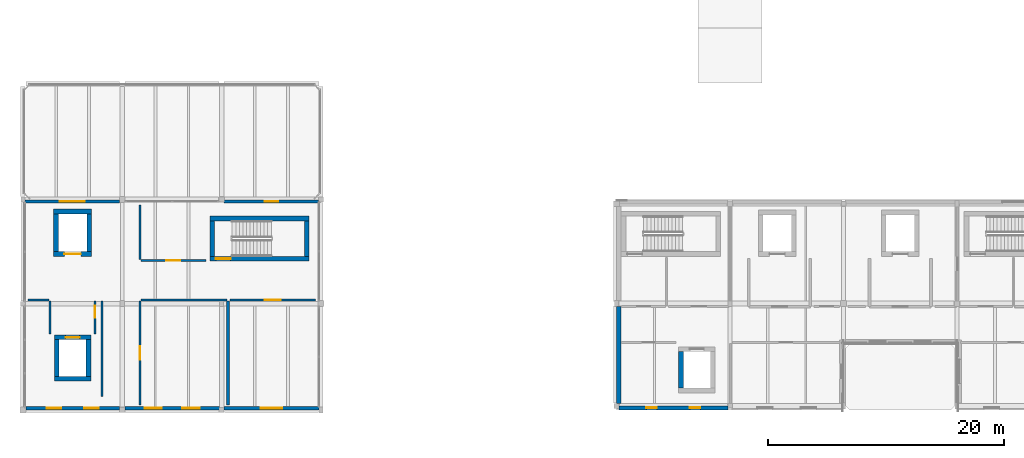
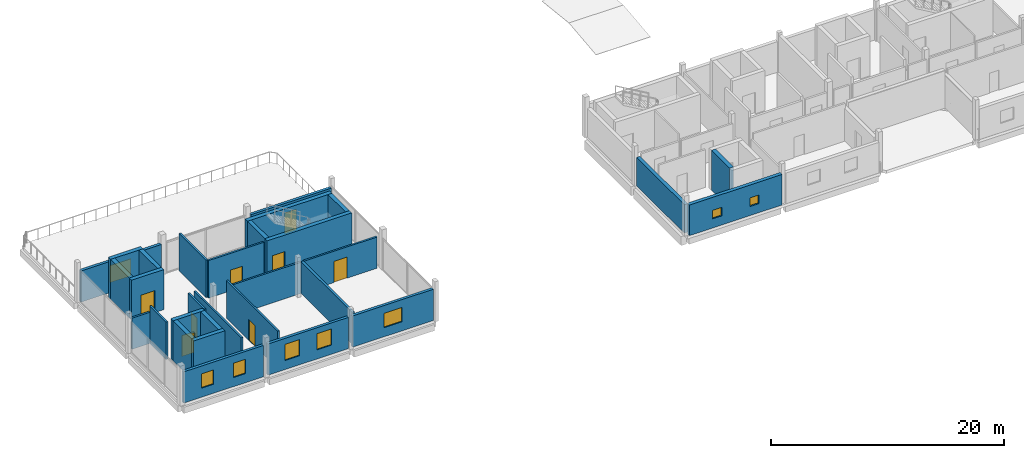
# One storey, part 13 of 23: 30 walls, 8 doors, 8 windows, 16 openings.
"""IFC4 building model written with IfcOpenShell, lengths in metres."""

import ifcopenshell
import ifcopenshell.guid

model = None  # the IFC model being written
_history = None  # IfcOwnerHistory: only IFC2X3 demands one
_inside = {}  # id of a spatial element -> (the spatial element, [elements in it])
_under = {}  # id of a project, library or spatial element -> (it, [spatial elements below it])
_declared = {}  # id of a project -> (the project, [libraries it declares])
_typed = {}  # id of a type object -> (the type object, [elements of that type])
_made_of = {}  # id of a material, layer set ... -> (it, [elements and type objects made of it])


def new_model(schema):
    """Start an empty IFC model of exactly this schema.

    Asked for "IFC4X3", IfcOpenShell would pick the latest addendum, in which some entities
    have other attributes; the version numbers below select the first issue.
    IFC2X3 requires an IfcOwnerHistory on every rooted entity: one is made here for all.
    """
    global model, _history
    if schema == "IFC4X3":
        model = ifcopenshell.file(schema_version=(4, 3, 0, 0))
    else:
        model = ifcopenshell.file(schema=schema)
    _inside.clear()
    _under.clear()
    _declared.clear()
    _typed.clear()
    _made_of.clear()
    _history = None
    if model.schema == "IFC2X3":
        org = make("IfcOrganization", Name="unknown")
        user = make(
            "IfcPersonAndOrganization",
            ThePerson=make("IfcPerson", FamilyName="unknown"),
            TheOrganization=org,
        )
        app = make(
            "IfcApplication",
            ApplicationDeveloper=org,
            Version="unknown",
            ApplicationFullName="unknown",
            ApplicationIdentifier="unknown",
        )
        _history = make(
            "IfcOwnerHistory",
            OwningUser=user,
            OwningApplication=app,
            ChangeAction="ADDED",
            CreationDate=0,
        )
    return model


def make(cls, **values):
    """One entity of the class cls with the attributes given. An attribute that is None is left unset."""
    return model.create_entity(
        cls, **{name: value for name, value in values.items() if value is not None}
    )


def rooted(cls, **values):
    """An entity with a GlobalId (a new one), such as an element, a storey or a relation."""
    return make(cls, GlobalId=ifcopenshell.guid.new(), OwnerHistory=_history, **values)


def si_unit(unit_type, name, prefix=None):
    """IfcSIUnit, for example si_unit("LENGTHUNIT", "METRE", prefix="MILLI")."""
    return make("IfcSIUnit", UnitType=unit_type, Prefix=prefix, Name=name)


def assignment(units):
    """IfcUnitAssignment: the units of a project."""
    return None if units is None else make("IfcUnitAssignment", Units=units)


def point(xyz):
    """IfcCartesianPoint."""
    return None if xyz is None else make("IfcCartesianPoint", Coordinates=xyz)


def direction(xyz):
    """IfcDirection."""
    return None if xyz is None else make("IfcDirection", DirectionRatios=xyz)


def frame(location, z_axis=None, x_axis=None):
    """IfcAxis2Placement3D, a coordinate frame: its origin and axes. An axis left out is left unset."""
    return make(
        "IfcAxis2Placement3D",
        Location=point(location),
        Axis=direction(z_axis),
        RefDirection=direction(x_axis),
    )


def frame_2d(location, x_axis=None):
    """IfcAxis2Placement2D, a coordinate frame in the plane: its origin and x axis."""
    return make(
        "IfcAxis2Placement2D", Location=point(location), RefDirection=direction(x_axis)
    )


def origin():
    """The frame at (0, 0, 0) with its axes left unset."""
    return frame((0.0, 0.0, 0.0))


def place(relative_to, where):
    """IfcLocalPlacement: puts the frame where relative to a parent placement (None: the world)."""
    return make(
        "IfcLocalPlacement", PlacementRelTo=relative_to, RelativePlacement=where
    )


def context(
    kind, dimensions, precision=None, world=None, true_north=None, identifier=None
):
    """IfcGeometricRepresentationContext, for example the 3D "Model" context."""
    return make(
        "IfcGeometricRepresentationContext",
        ContextIdentifier=identifier,
        ContextType=kind,
        CoordinateSpaceDimension=dimensions,
        Precision=precision,
        WorldCoordinateSystem=world,
        TrueNorth=true_north,
    )


def subcontext(parent, identifier, kind, view, scale=None):
    """IfcGeometricRepresentationSubContext, for example "Body" below "Model"."""
    return make(
        "IfcGeometricRepresentationSubContext",
        ContextIdentifier=identifier,
        ContextType=kind,
        ParentContext=parent,
        TargetScale=scale,
        TargetView=view,
    )


def project(units=None, contexts=None):
    """IfcProject with its units and contexts."""
    return rooted(
        "IfcProject",
        Name="project",
        RepresentationContexts=contexts,
        UnitsInContext=assignment(units),
    )


def spatial(cls, under=None, at=None, **own):
    """A site, building, storey or space (cls), placed at a placement, below another one or the project."""
    s = rooted(cls, ObjectPlacement=at, **own)
    if under is not None:
        _under.setdefault(under.id(), (under, []))[1].append(s)
    return s


def profile(cls, at=None, kind="AREA", **sizes):
    """A parametric profile (cls). Its sizes go by their IFC names, for example OverallWidth=200.0."""
    return make(cls, ProfileType=kind, Position=at, **sizes)


def rectangle(**sizes):
    """IfcRectangleProfileDef."""
    return profile("IfcRectangleProfileDef", **sizes)


def extrude(swept, where, along, depth):
    """IfcExtrudedAreaSolid: the profile swept, set in the frame where, extruded along a direction by depth."""
    return make(
        "IfcExtrudedAreaSolid",
        SweptArea=swept,
        Position=where,
        ExtrudedDirection=direction(along),
        Depth=depth,
    )


def shape(context_of_items, identifier, shape_type, items):
    """IfcShapeRepresentation: the items that make up one representation, for example the "Body"."""
    return make(
        "IfcShapeRepresentation",
        ContextOfItems=context_of_items,
        RepresentationIdentifier=identifier,
        RepresentationType=shape_type,
        Items=items,
    )


def material(Name=None, Category=None):
    """IfcMaterial."""
    return make("IfcMaterial", Name=Name, Category=Category)


def layer(
    of_material, thickness, ventilated=None, Name=None, Category=None, Priority=None
):
    """IfcMaterialLayer: one layer of a wall or slab, of a material (None: an air gap)."""
    return make(
        "IfcMaterialLayer",
        Material=of_material,
        LayerThickness=thickness,
        IsVentilated=ventilated,
        Name=Name,
        Category=Category,
        Priority=Priority,
    )


def layer_set(layers, Name=None):
    """IfcMaterialLayerSet."""
    return make("IfcMaterialLayerSet", MaterialLayers=layers, LayerSetName=Name)


def made_of(thing, what):
    """Note that an element or type object is made of a material, layer set ...; save() writes the relation."""
    if what is not None:
        _made_of.setdefault(what.id(), (what, []))[1].append(thing)
    return thing


def type_object(cls, material=None, **own):
    """A type object (cls), such as IfcWallType, which elements share."""
    return made_of(rooted(cls, **own), material)


def element(
    cls,
    number,
    at=None,
    inside=None,
    cuts=None,
    type_object=None,
    material=None,
    context=None,
    identifier="Body",
    shape_type=None,
    held_by="IfcProductDefinitionShape",
    body=None,
    shapes=None,
    **own,
):
    """One element of the class cls, such as IfcWall. Its Tag is "e" and its number.

    at: its placement. inside: the storey or other place that contains it. cuts: it is an
    opening in that element (IfcRelVoidsElement). A single representation is given by context,
    identifier, shape_type and body (its items); several are given by shapes. held_by: the class
    of the entity that holds the representations. save() writes the other relations.
    """
    e = rooted(cls, Tag="e%d" % number, ObjectPlacement=at, **own)
    if body is not None:
        shapes = [shape(context, identifier, shape_type, body)]
    if shapes is not None:
        e.Representation = make(held_by, Representations=shapes)
    if inside is not None:
        _inside.setdefault(inside.id(), (inside, []))[1].append(e)
    if cuts is not None:
        rooted(
            "IfcRelVoidsElement", RelatingBuildingElement=cuts, RelatedOpeningElement=e
        )
    if type_object is not None:
        _typed.setdefault(type_object.id(), (type_object, []))[1].append(e)
    return made_of(e, material)


def fill(opening, filler):
    """IfcRelFillsElement: the door or window that sits in an opening."""
    return rooted(
        "IfcRelFillsElement",
        RelatingOpeningElement=opening,
        RelatedBuildingElement=filler,
    )


def aggregate(whole, parts):
    """IfcRelAggregates: a whole, such as a stair, and the parts it consists of."""
    return rooted("IfcRelAggregates", RelatingObject=whole, RelatedObjects=parts)


def save(model, path):
    """Write the relations noted so far, then the file.

    IfcRelAggregates (storeys below a building ...), IfcRelContainedInSpatialStructure (elements
    in a storey), IfcRelDefinesByType, IfcRelAssociatesMaterial and IfcRelDeclares: one each for
    every whole, place, type object, material and project.
    """
    for whole, parts in _under.values():
        aggregate(whole, parts)
    for where, things in _inside.values():
        rooted(
            "IfcRelContainedInSpatialStructure",
            RelatedElements=things,
            RelatingStructure=where,
        )
    for kind, things in _typed.values():
        rooted("IfcRelDefinesByType", RelatedObjects=things, RelatingType=kind)
    for what, things in _made_of.values():
        rooted("IfcRelAssociatesMaterial", RelatedObjects=things, RelatingMaterial=what)
    for by, libraries in _declared.values():
        rooted("IfcRelDeclares", RelatingContext=by, RelatedDefinitions=libraries)
    model.write(path)


model = new_model("IFC4")

# Units and contexts
model_context = context("Model", 3, precision=1e-05, world=origin(), true_north=direction((0.0, 1.0)))
body_context = subcontext(model_context, "Body", "Model", "MODEL_VIEW")
ifc_project = project(units=[si_unit("LENGTHUNIT", "METRE"), si_unit("AREAUNIT", "SQUARE_METRE"), si_unit("VOLUMEUNIT", "CUBIC_METRE"), si_unit("PLANEANGLEUNIT", "RADIAN"), si_unit("MASSUNIT", "GRAM", prefix="KILO")], contexts=[model_context])

# Site, building, storey
site_placement = place(None, origin())
site = spatial("IfcSite", under=ifc_project, at=site_placement, CompositionType="ELEMENT")
building_placement = place(site_placement, origin())
building = spatial("IfcBuilding", under=site, at=building_placement, Name="Birchvale Park Specialist Clinic", CompositionType="ELEMENT")
storey_placement = place(building_placement, frame((0.0, 0.0, 18.0)))
storey = spatial("IfcBuildingStorey", under=building, at=storey_placement, Name="L04", CompositionType="ELEMENT", Elevation=18.0)

# Wall, opening, door
ifc_material_1 = material(Name="Concrete C40/50", Category="concrete")
ifc_layer_1 = layer(ifc_material_1, 0.39990234375)
ifc_layer_set_1 = layer_set([ifc_layer_1], Name="Concrete C40/50")
wall_type_1 = type_object("IfcWallType", Name="WL-CW-120", PredefinedType="SHEAR", material=ifc_layer_set_1)
wall_1_placement = place(storey_placement, frame((27.0, 29.60009765625, 0.0), z_axis=(0.0, 0.0, 1.0), x_axis=(1.0, 0.0, 0.0)))
wall_1 = element("IfcWall", 1, at=wall_1_placement, inside=storey, type_object=wall_type_1, Name="L04 stair ST2 EI 120 enclosure wall (south)", PredefinedType="SHEAR", context=body_context, shape_type="SweptSolid", body=[
    extrude(rectangle(XDim=8.39990234375, YDim=0.39990234375, at=frame_2d((4.199951171875, 0.0))), origin(), (0.0, 0.0, 1.0), 3.93994140625),
])
opening_1_placement = place(wall_1_placement, frame((0.52001953125, 0.0, 0.0)))
opening_1 = element("IfcOpeningElement", 2, at=opening_1_placement, cuts=wall_1, Name="Opening ID-FD60", PredefinedType="OPENING", context=body_context, shape_type="SweptSolid", body=[
    extrude(rectangle(XDim=1.25, YDim=2.199951171875, at=frame_2d((0.625, 1.10009765625))), frame((0.0, 0.2099609375, 0.0), z_axis=(0.0, -1.0, 0.0), x_axis=(1.0, 0.0, 0.0)), (0.0, 0.0, 1.0), 0.419921875),
])
ifc_material_2 = material(Name="Solid-core birch veneer and anodised aluminium", Category="aluminium")
door_type_1 = type_object("IfcDoorType", Name="DR-ID-FD60", OperationType="NOTDEFINED", PredefinedType="DOOR", material=ifc_material_2)
door_1_placement = place(opening_1_placement, origin())
door_1 = element("IfcDoor", 3, at=door_1_placement, inside=storey, type_object=door_type_1, Name="L04 stair ST2 fire door", OperationType="SINGLE_SWING_RIGHT", OverallHeight=2.199951171875, OverallWidth=1.25, PredefinedType="DOOR", context=body_context, shape_type="SweptSolid", body=[
    extrude(rectangle(XDim=1.25, YDim=2.199951171875, at=frame_2d((0.625, 1.10009765625))), frame((0.0, 0.02490234375, 0.0), z_axis=(0.0, -1.0, 0.0), x_axis=(1.0, 0.0, 0.0)), (0.0, 0.0, 1.0), 0.050048828125),
])
fill(opening_1, door_1)

# Walls
wall_2_placement = place(storey_placement, frame((35.39990234375, 33.0, 0.0), z_axis=(0.0, 0.0, 1.0), x_axis=(-1.0, 0.0, 0.0)))
element("IfcWall", 4, at=wall_2_placement, inside=storey, type_object=wall_type_1, Name="L04 stair ST2 EI 120 enclosure wall (north)", PredefinedType="SHEAR", context=body_context, shape_type="SweptSolid", body=[
    extrude(rectangle(XDim=8.39990234375, YDim=0.39990234375, at=frame_2d((4.199951171875, 0.0))), origin(), (0.0, 0.0, 1.0), 3.93994140625),
])
for number, where, z_axis, x_axis, name in (
    (5, (27.199951171875, 29.800048828125, 0.0), (0.0, 0.0, 1.0), (0.0, 1.0, 0.0), "L04 stair ST2 EI 120 enclosure wall (west)"),
    (6, (35.199951171875, 32.800048828125, 0.0), (0.0, 0.0, 1.0), (0.0, -1.0, 0.0), "L04 stair ST2 EI 120 enclosure wall (east)"),
):
    element("IfcWall", number, at=place(storey_placement, frame(where, z_axis=z_axis, x_axis=x_axis)), inside=storey, type_object=wall_type_1, Name=name, PredefinedType="SHEAR", context=body_context, shape_type="SweptSolid", body=[
        extrude(rectangle(XDim=3.0, YDim=0.39990234375, at=frame_2d((1.5, 0.0))), origin(), (0.0, 0.0, 1.0), 3.93994140625),
    ])
wall_3_placement = place(storey_placement, frame((66.85009765625, 18.64990234375, 0.0), z_axis=(0.0, 0.0, 1.0), x_axis=(0.0, 1.0, 0.0)))
element("IfcWall", 7, at=wall_3_placement, inside=storey, type_object=wall_type_1, Name="L04 lift LP1 shaft wall (west)", PredefinedType="SHEAR", context=body_context, shape_type="SweptSolid", body=[
    extrude(rectangle(XDim=3.10009765625, YDim=0.39990234375, at=frame_2d((1.550048828125, 0.0))), origin(), (0.0, 0.0, 1.0), 4.199951171875),
])
wall_4_placement = place(storey_placement, frame((13.85009765625, 19.449951171875, 0.0), z_axis=(0.0, 0.0, 1.0), x_axis=(1.0, 0.0, 0.0)))
element("IfcWall", 8, at=wall_4_placement, inside=storey, type_object=wall_type_1, Name="L04 lift LP3 shaft wall (south)", PredefinedType="SHEAR", context=body_context, shape_type="SweptSolid", body=[
    extrude(rectangle(XDim=3.099853515625, YDim=0.39990234375, at=frame_2d((1.5498046875, 0.0))), origin(), (0.0, 0.0, 1.0), 4.199951171875),
])

# Wall, opening, door
wall_5_placement = place(storey_placement, frame((16.949951171875, 22.949951171875, 0.0), z_axis=(0.0, 0.0, 1.0), x_axis=(-1.0, 0.0, 0.0)))
wall_5 = element("IfcWall", 9, at=wall_5_placement, inside=storey, type_object=wall_type_1, Name="L04 lift LP3 shaft wall (north)", PredefinedType="SHEAR", context=body_context, shape_type="SweptSolid", body=[
    extrude(rectangle(XDim=3.099853515625, YDim=0.39990234375, at=frame_2d((1.5498046875, 0.0))), origin(), (0.0, 0.0, 1.0), 4.199951171875),
])
opening_2_placement = place(wall_5_placement, frame((0.949951171875, 0.0, 0.0)))
opening_2 = element("IfcOpeningElement", 10, at=opening_2_placement, cuts=wall_5, Name="Opening LD-01", PredefinedType="OPENING", context=body_context, shape_type="SweptSolid", body=[
    extrude(rectangle(XDim=1.199951171875, YDim=2.199951171875, at=frame_2d((0.60009765625, 1.10009765625))), frame((0.0, 0.2099609375, 0.0), z_axis=(0.0, -1.0, 0.0), x_axis=(1.0, 0.0, 0.0)), (0.0, 0.0, 1.0), 0.419921875),
])
door_type_2 = type_object("IfcDoorType", Name="DR-LD-01", OperationType="DOUBLE_DOOR_SLIDING", PredefinedType="DOOR", material=ifc_material_2)
door_2_placement = place(opening_2_placement, origin())
door_2 = element("IfcDoor", 11, at=door_2_placement, inside=storey, type_object=door_type_2, Name="L04 lift LP3 sliding landing door", OperationType="DOUBLE_DOOR_SLIDING", OverallHeight=2.199951171875, OverallWidth=1.199951171875, PredefinedType="DOOR", context=body_context, shape_type="SweptSolid", body=[
    extrude(rectangle(XDim=1.199951171875, YDim=2.199951171875, at=frame_2d((0.60009765625, 1.10009765625))), frame((0.0, 0.02490234375, 0.0), z_axis=(0.0, -1.0, 0.0), x_axis=(1.0, 0.0, 0.0)), (0.0, 0.0, 1.0), 0.050048828125),
])
fill(opening_2, door_2)

# Walls
for number, where, z_axis, x_axis, name in (
    (12, (14.050048828125, 19.64990234375, 0.0), (0.0, 0.0, 1.0), (0.0, 1.0, 0.0), "L04 lift LP3 shaft wall (west)"),
    (13, (16.75, 22.75, 0.0), (0.0, 0.0, 1.0), (0.0, -1.0, 0.0), "L04 lift LP3 shaft wall (east)"),
):
    element("IfcWall", number, at=place(storey_placement, frame(where, z_axis=z_axis, x_axis=x_axis)), inside=storey, type_object=wall_type_1, Name=name, PredefinedType="SHEAR", context=body_context, shape_type="SweptSolid", body=[
        extrude(rectangle(XDim=3.10009765625, YDim=0.39990234375, at=frame_2d((1.550048828125, 0.0))), origin(), (0.0, 0.0, 1.0), 4.199951171875),
    ])

# Wall, opening, door
wall_6_placement = place(storey_placement, frame((13.800048828125, 30.0, 0.0), z_axis=(0.0, 0.0, 1.0), x_axis=(1.0, 0.0, 0.0)))
wall_6 = element("IfcWall", 14, at=wall_6_placement, inside=storey, type_object=wall_type_1, Name="L04 lift LS1 shaft wall (south)", PredefinedType="SHEAR", context=body_context, shape_type="SweptSolid", body=[
    extrude(rectangle(XDim=3.199951171875, YDim=0.39990234375, at=frame_2d((1.60009765625, 0.0))), origin(), (0.0, 0.0, 1.0), 4.199951171875),
])
opening_3_placement = place(wall_6_placement, frame((0.89990234375, 0.0, 0.0)))
opening_3 = element("IfcOpeningElement", 15, at=opening_3_placement, cuts=wall_6, Name="Opening LD-03", PredefinedType="OPENING", context=body_context, shape_type="SweptSolid", body=[
    extrude(rectangle(XDim=1.39990234375, YDim=2.300048828125, at=frame_2d((0.699951171875, 1.14990234375))), frame((0.0, 0.2099609375, 0.0), z_axis=(0.0, -1.0, 0.0), x_axis=(1.0, 0.0, 0.0)), (0.0, 0.0, 1.0), 0.419921875),
])
door_type_3 = type_object("IfcDoorType", Name="DR-LD-03", OperationType="DOUBLE_DOOR_SLIDING", PredefinedType="DOOR", material=ifc_material_2)
door_3_placement = place(opening_3_placement, origin())
door_3 = element("IfcDoor", 16, at=door_3_placement, inside=storey, type_object=door_type_3, Name="L04 lift LS1 sliding landing door", OperationType="DOUBLE_DOOR_SLIDING", OverallHeight=2.300048828125, OverallWidth=1.39990234375, PredefinedType="DOOR", context=body_context, shape_type="SweptSolid", body=[
    extrude(rectangle(XDim=1.39990234375, YDim=2.300048828125, at=frame_2d((0.699951171875, 1.14990234375))), frame((0.0, 0.02490234375, 0.0), z_axis=(0.0, -1.0, 0.0), x_axis=(1.0, 0.0, 0.0)), (0.0, 0.0, 1.0), 0.050048828125),
])
fill(opening_3, door_3)

# Walls
for number, where, z_axis, x_axis, name in (
    (17, (17.0, 33.60009765625, 0.0), (0.0, 0.0, 1.0), (-1.0, 0.0, 0.0), "L04 lift LS1 shaft wall (north)"),
    (18, (14.0, 30.199951171875, 0.0), (0.0, 0.0, 1.0), (0.0, 1.0, 0.0), "L04 lift LS1 shaft wall (west)"),
    (19, (16.800048828125, 33.39990234375, 0.0), (0.0, 0.0, 1.0), (0.0, -1.0, 0.0), "L04 lift LS1 shaft wall (east)"),
):
    element("IfcWall", number, at=place(storey_placement, frame(where, z_axis=z_axis, x_axis=x_axis)), inside=storey, type_object=wall_type_1, Name=name, PredefinedType="SHEAR", context=body_context, shape_type="SweptSolid", body=[
        extrude(rectangle(XDim=3.199951171875, YDim=0.39990234375, at=frame_2d((1.60009765625, 0.0))), origin(), (0.0, 0.0, 1.0), 4.199951171875),
    ])

# Wall, openings, windows
ifc_material_3 = material(Name="Lime-white mineral-rendered insulated masonry", Category="masonry")
ifc_layer_2 = layer(ifc_material_3, 0.340087890625)
ifc_layer_set_2 = layer_set([ifc_layer_2], Name="Lime-white mineral-rendered insulated masonry")
wall_type_2 = type_object("IfcWallType", Name="WL-EW-01", PredefinedType="STANDARD", material=ifc_layer_set_2)
wall_7_placement = place(storey_placement, frame((61.610107421875, 16.989990234375, 0.0), z_axis=(0.0, 0.0, 1.0), x_axis=(1.0, 0.0, 0.0)))
wall_7 = element("IfcWall", 20, at=wall_7_placement, inside=storey, type_object=wall_type_2, Name="V4 L04 exterior facade wall 274", PredefinedType="STANDARD", context=body_context, shape_type="SweptSolid", body=[
    extrude(rectangle(XDim=9.204833984375, YDim=0.340087890625, at=frame_2d((4.6025390625, 0.0))), origin(), (0.0, 0.0, 1.0), 3.205078125),
])
opening_4_placement = place(wall_7_placement, frame((2.3115234375, 0.0, 0.949951171875)))
opening_4 = element("IfcOpeningElement", 21, at=opening_4_placement, cuts=wall_7, Name="Opening W-SQ09", PredefinedType="OPENING", context=body_context, shape_type="SweptSolid", body=[
    extrude(rectangle(XDim=0.89990234375, YDim=0.89990234375, at=frame_2d((0.449951171875, 0.449951171875))), frame((0.0, 0.18017578125, 0.0), z_axis=(0.0, -1.0, 0.0), x_axis=(1.0, 0.0, 0.0)), (0.0, 0.0, 1.0), 0.360107421875),
])
opening_5_placement = place(wall_7_placement, frame((5.993408203125, 0.0, 0.949951171875)))
opening_5 = element("IfcOpeningElement", 22, at=opening_5_placement, cuts=wall_7, Name="Opening W-SQ09", PredefinedType="OPENING", context=body_context, shape_type="SweptSolid", body=[
    extrude(rectangle(XDim=0.89990234375, YDim=0.89990234375, at=frame_2d((0.449951171875, 0.449951171875))), frame((0.0, 0.18017578125, 0.0), z_axis=(0.0, -1.0, 0.0), x_axis=(1.0, 0.0, 0.0)), (0.0, 0.0, 1.0), 0.360107421875),
])
ifc_material_4 = material(Name="Solar-control low-E double glazing", Category="glass")
window_type_1 = type_object("IfcWindowType", Name="WIN-W-SQ09", PartitioningType="SINGLE_PANEL", PredefinedType="WINDOW", material=ifc_material_4)
window_1_placement = place(opening_4_placement, origin())
window_1 = element("IfcWindow", 23, at=window_1_placement, inside=storey, type_object=window_type_1, Name="V4 L04 cased window 130", OverallHeight=0.89990234375, OverallWidth=0.89990234375, PartitioningType="SINGLE_PANEL", PredefinedType="WINDOW", context=body_context, shape_type="SweptSolid", body=[
    extrude(rectangle(XDim=0.89990234375, YDim=0.89990234375, at=frame_2d((0.449951171875, 0.449951171875))), frame((0.0, 0.030029296875, 0.0), z_axis=(0.0, -1.0, 0.0), x_axis=(1.0, 0.0, 0.0)), (0.0, 0.0, 1.0), 0.06005859375),
])
fill(opening_4, window_1)
window_2_placement = place(opening_5_placement, origin())
window_2 = element("IfcWindow", 24, at=window_2_placement, inside=storey, type_object=window_type_1, Name="V4 L04 cased window 131", OverallHeight=0.89990234375, OverallWidth=0.89990234375, PartitioningType="SINGLE_PANEL", PredefinedType="WINDOW", context=body_context, shape_type="SweptSolid", body=[
    extrude(rectangle(XDim=0.89990234375, YDim=0.89990234375, at=frame_2d((0.449951171875, 0.449951171875))), frame((0.0, 0.030029296875, 0.0), z_axis=(0.0, -1.0, 0.0), x_axis=(1.0, 0.0, 0.0)), (0.0, 0.0, 1.0), 0.06005859375),
])
fill(opening_5, window_2)

# Wall
wall_8_placement = place(storey_placement, frame((61.590087890625, 25.554931640625, 0.0), z_axis=(0.0, 0.0, 1.0), x_axis=(0.0, -1.0, 0.0)))
element("IfcWall", 25, at=wall_8_placement, inside=storey, type_object=wall_type_2, Name="V4 L04 exterior facade wall 289", PredefinedType="STANDARD", context=body_context, shape_type="SweptSolid", body=[
    extrude(rectangle(XDim=8.19482421875, YDim=0.340087890625, at=frame_2d((4.097412109375, 0.0))), origin(), (0.0, 0.0, 1.0), 2.985107421875),
])

# Wall, openings, windows
ifc_layer_3 = layer(ifc_material_3, 0.27001953125)
ifc_layer_set_3 = layer_set([ifc_layer_3], Name="Lime-white mineral-rendered insulated masonry")
wall_type_3 = type_object("IfcWallType", Name="WL-EW-04", PredefinedType="STANDARD", material=ifc_layer_set_3)
wall_9_placement = place(storey_placement, frame((11.445068359375, 16.955078125, 0.0), z_axis=(0.0, 0.0, 1.0), x_axis=(1.0, 0.0, 0.0)))
wall_9 = element("IfcWall", 26, at=wall_9_placement, inside=storey, type_object=wall_type_3, Name="V2 L04 exterior facade wall 269", PredefinedType="STANDARD", context=body_context, shape_type="SweptSolid", body=[
    extrude(rectangle(XDim=7.934814453125, YDim=0.27001953125, at=frame_2d((3.96728515625, 0.0))), origin(), (0.0, 0.0, 1.0), 3.27490234375),
])
opening_6_placement = place(wall_9_placement, frame((1.780517578125, 0.0, 0.949951171875)))
opening_6 = element("IfcOpeningElement", 27, at=opening_6_placement, cuts=wall_9, Name="Opening W-CL01", PredefinedType="OPENING", context=body_context, shape_type="SweptSolid", body=[
    extrude(rectangle(XDim=1.199951171875, YDim=1.5, at=frame_2d((0.60009765625, 0.75))), frame((0.0, 0.14501953125, 0.0), z_axis=(0.0, -1.0, 0.0), x_axis=(1.0, 0.0, 0.0)), (0.0, 0.0, 1.0), 0.2900390625),
])
opening_7_placement = place(wall_9_placement, frame((4.95458984375, 0.0, 0.949951171875)))
opening_7 = element("IfcOpeningElement", 28, at=opening_7_placement, cuts=wall_9, Name="Opening W-CL01", PredefinedType="OPENING", context=body_context, shape_type="SweptSolid", body=[
    extrude(rectangle(XDim=1.199951171875, YDim=1.5, at=frame_2d((0.60009765625, 0.75))), frame((0.0, 0.14501953125, 0.0), z_axis=(0.0, -1.0, 0.0), x_axis=(1.0, 0.0, 0.0)), (0.0, 0.0, 1.0), 0.2900390625),
])
window_type_2 = type_object("IfcWindowType", Name="WIN-W-CL01", PartitioningType="SINGLE_PANEL", PredefinedType="WINDOW", material=ifc_material_4)
window_3_placement = place(opening_6_placement, origin())
window_3 = element("IfcWindow", 29, at=window_3_placement, inside=storey, type_object=window_type_2, Name="V2 L04 cased window 124", OverallHeight=1.5, OverallWidth=1.199951171875, PartitioningType="SINGLE_PANEL", PredefinedType="WINDOW", context=body_context, shape_type="SweptSolid", body=[
    extrude(rectangle(XDim=1.199951171875, YDim=1.5, at=frame_2d((0.60009765625, 0.75))), frame((0.0, 0.030029296875, 0.0), z_axis=(0.0, -1.0, 0.0), x_axis=(1.0, 0.0, 0.0)), (0.0, 0.0, 1.0), 0.06005859375),
])
fill(opening_6, window_3)
window_4_placement = place(opening_7_placement, origin())
window_4 = element("IfcWindow", 30, at=window_4_placement, inside=storey, type_object=window_type_2, Name="V2 L04 cased window 125", OverallHeight=1.5, OverallWidth=1.199951171875, PartitioningType="SINGLE_PANEL", PredefinedType="WINDOW", context=body_context, shape_type="SweptSolid", body=[
    extrude(rectangle(XDim=1.199951171875, YDim=1.5, at=frame_2d((0.60009765625, 0.75))), frame((0.0, 0.030029296875, 0.0), z_axis=(0.0, -1.0, 0.0), x_axis=(1.0, 0.0, 0.0)), (0.0, 0.0, 1.0), 0.06005859375),
])
fill(opening_7, window_4)

wall_10_placement = place(storey_placement, frame((19.820068359375, 16.955078125, 0.0), z_axis=(0.0, 0.0, 1.0), x_axis=(1.0, 0.0, 0.0)))
wall_10 = element("IfcWall", 31, at=wall_10_placement, inside=storey, type_object=wall_type_3, Name="V2 L04 exterior facade wall 270", PredefinedType="STANDARD", context=body_context, shape_type="SweptSolid", body=[
    extrude(rectangle(XDim=7.98486328125, YDim=0.27001953125, at=frame_2d((3.992431640625, 0.0))), origin(), (0.0, 0.0, 1.0), 3.27490234375),
])
opening_8_placement = place(wall_10_placement, frame((1.67041015625, 0.0, 0.949951171875)))
opening_8 = element("IfcOpeningElement", 32, at=opening_8_placement, cuts=wall_10, Name="Opening W-CL12", PredefinedType="OPENING", context=body_context, shape_type="SweptSolid", body=[
    extrude(rectangle(XDim=1.449951171875, YDim=1.699951171875, at=frame_2d((0.72509765625, 0.85009765625))), frame((0.0, 0.14501953125, 0.0), z_axis=(0.0, -1.0, 0.0), x_axis=(1.0, 0.0, 0.0)), (0.0, 0.0, 1.0), 0.2900390625),
])
opening_9_placement = place(wall_10_placement, frame((4.864501953125, 0.0, 0.949951171875)))
opening_9 = element("IfcOpeningElement", 33, at=opening_9_placement, cuts=wall_10, Name="Opening W-CL12", PredefinedType="OPENING", context=body_context, shape_type="SweptSolid", body=[
    extrude(rectangle(XDim=1.449951171875, YDim=1.699951171875, at=frame_2d((0.72509765625, 0.85009765625))), frame((0.0, 0.14501953125, 0.0), z_axis=(0.0, -1.0, 0.0), x_axis=(1.0, 0.0, 0.0)), (0.0, 0.0, 1.0), 0.2900390625),
])
window_type_3 = type_object("IfcWindowType", Name="WIN-W-CL12", PartitioningType="SINGLE_PANEL", PredefinedType="WINDOW", material=ifc_material_4)
window_5_placement = place(opening_8_placement, origin())
window_5 = element("IfcWindow", 34, at=window_5_placement, inside=storey, type_object=window_type_3, Name="V2 L04 cased window 126", OverallHeight=1.699951171875, OverallWidth=1.449951171875, PartitioningType="SINGLE_PANEL", PredefinedType="WINDOW", context=body_context, shape_type="SweptSolid", body=[
    extrude(rectangle(XDim=1.449951171875, YDim=1.699951171875, at=frame_2d((0.72509765625, 0.85009765625))), frame((0.0, 0.030029296875, 0.0), z_axis=(0.0, -1.0, 0.0), x_axis=(1.0, 0.0, 0.0)), (0.0, 0.0, 1.0), 0.06005859375),
])
fill(opening_8, window_5)
window_6_placement = place(opening_9_placement, origin())
window_6 = element("IfcWindow", 35, at=window_6_placement, inside=storey, type_object=window_type_3, Name="V2 L04 cased window 127", OverallHeight=1.699951171875, OverallWidth=1.449951171875, PartitioningType="SINGLE_PANEL", PredefinedType="WINDOW", context=body_context, shape_type="SweptSolid", body=[
    extrude(rectangle(XDim=1.449951171875, YDim=1.699951171875, at=frame_2d((0.72509765625, 0.85009765625))), frame((0.0, 0.030029296875, 0.0), z_axis=(0.0, -1.0, 0.0), x_axis=(1.0, 0.0, 0.0)), (0.0, 0.0, 1.0), 0.06005859375),
])
fill(opening_9, window_6)

# Wall, opening, window
wall_11_placement = place(storey_placement, frame((28.195068359375, 16.955078125, 0.0), z_axis=(0.0, 0.0, 1.0), x_axis=(1.0, 0.0, 0.0)))
wall_11 = element("IfcWall", 36, at=wall_11_placement, inside=storey, type_object=wall_type_3, Name="V2 L04 exterior facade wall 271", PredefinedType="STANDARD", context=body_context, shape_type="SweptSolid", body=[
    extrude(rectangle(XDim=8.034912109375, YDim=0.27001953125, at=frame_2d((4.017578125, 0.0))), origin(), (0.0, 0.0, 1.0), 3.27490234375),
])
opening_10_placement = place(wall_11_placement, frame((3.117431640625, 0.0, 0.949951171875)))
opening_10 = element("IfcOpeningElement", 37, at=opening_10_placement, cuts=wall_11, Name="Opening W-CL05", PredefinedType="OPENING", context=body_context, shape_type="SweptSolid", body=[
    extrude(rectangle(XDim=1.800048828125, YDim=1.5, at=frame_2d((0.89990234375, 0.75))), frame((0.0, 0.14501953125, 0.0), z_axis=(0.0, -1.0, 0.0), x_axis=(1.0, 0.0, 0.0)), (0.0, 0.0, 1.0), 0.2900390625),
])
window_type_4 = type_object("IfcWindowType", Name="WIN-W-CL05", PartitioningType="SINGLE_PANEL", PredefinedType="WINDOW", material=ifc_material_4)
window_7_placement = place(opening_10_placement, origin())
window_7 = element("IfcWindow", 38, at=window_7_placement, inside=storey, type_object=window_type_4, Name="V2 L04 cased window 128", OverallHeight=1.5, OverallWidth=1.800048828125, PartitioningType="SINGLE_PANEL", PredefinedType="WINDOW", context=body_context, shape_type="SweptSolid", body=[
    extrude(rectangle(XDim=1.800048828125, YDim=1.5, at=frame_2d((0.89990234375, 0.75))), frame((0.0, 0.030029296875, 0.0), z_axis=(0.0, -1.0, 0.0), x_axis=(1.0, 0.0, 0.0)), (0.0, 0.0, 1.0), 0.06005859375),
])
fill(opening_10, window_7)

# Wall, opening, door
wall_12_placement = place(storey_placement, frame((36.205078125, 34.445068359375, 0.0), z_axis=(0.0, 0.0, 1.0), x_axis=(-1.0, 0.0, 0.0)))
wall_12 = element("IfcWall", 39, at=wall_12_placement, inside=storey, type_object=wall_type_3, Name="V2 L04 exterior facade wall 272", PredefinedType="STANDARD", context=body_context, shape_type="SweptSolid", body=[
    extrude(rectangle(XDim=7.985107421875, YDim=0.27001953125, at=frame_2d((3.99267578125, 0.0))), origin(), (0.0, 0.0, 1.0), 3.27490234375),
])
opening_11_placement = place(wall_12_placement, frame((3.41748046875, 0.0, 0.0)))
opening_11 = element("IfcOpeningElement", 40, at=opening_11_placement, cuts=wall_12, Name="Opening ED-05", PredefinedType="OPENING", context=body_context, shape_type="SweptSolid", body=[
    extrude(rectangle(XDim=1.14990234375, YDim=2.199951171875, at=frame_2d((0.574951171875, 1.10009765625))), frame((0.0, 0.14501953125, 0.0), z_axis=(0.0, -1.0, 0.0), x_axis=(1.0, 0.0, 0.0)), (0.0, 0.0, 1.0), 0.2900390625),
])
ifc_material_5 = material(Name="Powder-coated aluminium and laminated safety glass", Category="aluminium")
door_type_4 = type_object("IfcDoorType", Name="DR-ED-05", OperationType="NOTDEFINED", PredefinedType="DOOR", material=ifc_material_5)
door_4_placement = place(opening_11_placement, frame((1.14990234375, 0.0, 0.0), z_axis=(0.0, 0.0, 1.0), x_axis=(-1.0, 0.0, 0.0)))
door_4 = element("IfcDoor", 41, at=door_4_placement, inside=storey, type_object=door_type_4, Name="V2 L04 accessible roof terrace door 39", OperationType="SINGLE_SWING_RIGHT", OverallHeight=2.199951171875, OverallWidth=1.14990234375, PredefinedType="DOOR", context=body_context, shape_type="SweptSolid", body=[
    extrude(rectangle(XDim=1.14990234375, YDim=2.199951171875, at=frame_2d((0.574951171875, 1.10009765625))), frame((0.0, 0.02490234375, 0.0), z_axis=(0.0, -1.0, 0.0), x_axis=(1.0, 0.0, 0.0)), (0.0, 0.0, 1.0), 0.050048828125),
])
fill(opening_11, door_4)

# Wall, opening, window
wall_13_placement = place(storey_placement, frame((19.35498046875, 34.445068359375, 0.0), z_axis=(0.0, 0.0, 1.0), x_axis=(-1.0, 0.0, 0.0)))
wall_13 = element("IfcWall", 42, at=wall_13_placement, inside=storey, type_object=wall_type_3, Name="V2 L04 exterior facade wall 273", PredefinedType="STANDARD", context=body_context, shape_type="SweptSolid", body=[
    extrude(rectangle(XDim=7.98486328125, YDim=0.27001953125, at=frame_2d((3.992431640625, 0.0))), origin(), (0.0, 0.0, 1.0), 3.27490234375),
])
opening_12_placement = place(wall_13_placement, frame((2.9423828125, 0.0, 0.949951171875)))
opening_12 = element("IfcOpeningElement", 43, at=opening_12_placement, cuts=wall_13, Name="Opening W-CL07", PredefinedType="OPENING", context=body_context, shape_type="SweptSolid", body=[
    extrude(rectangle(XDim=2.10009765625, YDim=1.800048828125, at=frame_2d((1.050048828125, 0.89990234375))), frame((0.0, 0.14501953125, 0.0), z_axis=(0.0, -1.0, 0.0), x_axis=(1.0, 0.0, 0.0)), (0.0, 0.0, 1.0), 0.2900390625),
])
window_type_5 = type_object("IfcWindowType", Name="WIN-W-CL07", PartitioningType="SINGLE_PANEL", PredefinedType="WINDOW", material=ifc_material_4)
window_8_placement = place(opening_12_placement, origin())
window_8 = element("IfcWindow", 44, at=window_8_placement, inside=storey, type_object=window_type_5, Name="V2 L04 cased window 129", OverallHeight=1.800048828125, OverallWidth=2.10009765625, PartitioningType="SINGLE_PANEL", PredefinedType="WINDOW", context=body_context, shape_type="SweptSolid", body=[
    extrude(rectangle(XDim=2.10009765625, YDim=1.800048828125, at=frame_2d((1.050048828125, 0.89990234375))), frame((0.0, 0.030029296875, 0.0), z_axis=(0.0, -1.0, 0.0), x_axis=(1.0, 0.0, 0.0)), (0.0, 0.0, 1.0), 0.06005859375),
])
fill(opening_12, window_8)

# Wall
ifc_material_6 = material(Name="Acoustic gypsum board on metal framing")
ifc_layer_4 = layer(ifc_material_6, 0.239990234375)
ifc_layer_set_4 = layer_set([ifc_layer_4], Name="Acoustic gypsum board on metal framing")
wall_type_4 = type_object("IfcWallType", Name="WL-IW-08", PredefinedType="PARTITIONING", material=ifc_layer_set_4)
wall_14_placement = place(storey_placement, frame((28.530029296875, 26.02001953125, 0.0), z_axis=(0.0, 0.0, 1.0), x_axis=(0.0, -1.0, 0.0)))
element("IfcWall", 45, at=wall_14_placement, inside=storey, type_object=wall_type_4, Name="V2 L04 clinical partition 543", PredefinedType="PARTITIONING", context=body_context, shape_type="SweptSolid", body=[
    extrude(rectangle(XDim=8.780029296875, YDim=0.239990234375, at=frame_2d((4.39013671875, 0.0))), origin(), (0.0, 0.0, 1.0), 3.324951171875),
])

# Wall, opening, door
ifc_layer_5 = layer(ifc_material_6, 0.179931640625)
ifc_layer_set_5 = layer_set([ifc_layer_5], Name="Acoustic gypsum board on metal framing")
wall_type_5 = type_object("IfcWallType", Name="WL-IW-60", PredefinedType="PARTITIONING", material=ifc_layer_set_5)
wall_15_placement = place(storey_placement, frame((17.300048828125, 23.22998046875, 0.0), z_axis=(0.0, 0.0, 1.0), x_axis=(0.0, 1.0, 0.0)))
wall_15 = element("IfcWall", 46, at=wall_15_placement, inside=storey, type_object=wall_type_5, Name="V2 L04 clinical partition 538", PredefinedType="PARTITIONING", context=body_context, shape_type="SweptSolid", body=[
    extrude(rectangle(XDim=2.7900390625, YDim=0.179931640625, at=frame_2d((1.39501953125, 0.0))), origin(), (0.0, 0.0, 1.0), 3.93994140625),
])
opening_13_placement = place(wall_15_placement, frame((1.39501953125, 0.0, 0.0)))
opening_13 = element("IfcOpeningElement", 47, at=opening_13_placement, cuts=wall_15, Name="Opening ID-01", PredefinedType="OPENING", context=body_context, shape_type="SweptSolid", body=[
    extrude(rectangle(XDim=1.0, YDim=2.14990234375, at=frame_2d((0.5, 1.074951171875))), frame((0.0, 0.10009765625, 0.0), z_axis=(0.0, -1.0, 0.0), x_axis=(1.0, 0.0, 0.0)), (0.0, 0.0, 1.0), 0.199951171875),
])
door_type_5 = type_object("IfcDoorType", Name="DR-ID-01", OperationType="NOTDEFINED", PredefinedType="DOOR", material=ifc_material_2)
door_5_placement = place(opening_13_placement, origin())
door_5 = element("IfcDoor", 48, at=door_5_placement, inside=storey, type_object=door_type_5, Name="L04 Bone Densitometry Imaging Room door", OperationType="SINGLE_SWING_RIGHT", OverallHeight=2.14990234375, OverallWidth=1.0, PredefinedType="DOOR", context=body_context, shape_type="SweptSolid", body=[
    extrude(rectangle(XDim=1.0, YDim=2.14990234375, at=frame_2d((0.5, 1.074951171875))), frame((0.0, 0.02490234375, 0.0), z_axis=(0.0, -1.0, 0.0), x_axis=(1.0, 0.0, 0.0)), (0.0, 0.0, 1.0), 0.050048828125),
])
fill(opening_13, door_5)

# Walls
wall_16_placement = place(storey_placement, frame((17.89990234375, 26.02001953125, 0.0), z_axis=(0.0, 0.0, 1.0), x_axis=(0.0, -1.0, 0.0)))
element("IfcWall", 49, at=wall_16_placement, inside=storey, type_object=wall_type_5, Name="V2 L04 clinical partition 539", PredefinedType="PARTITIONING", context=body_context, shape_type="SweptSolid", body=[
    extrude(rectangle(XDim=8.06494140625, YDim=0.179931640625, at=frame_2d((4.032470703125, 0.0))), origin(), (0.0, 0.0, 1.0), 3.93994140625),
])
wall_17_placement = place(storey_placement, frame((11.639892578125, 26.10009765625, 0.0), z_axis=(0.0, 0.0, 1.0), x_axis=(1.0, 0.0, 0.0)))
element("IfcWall", 50, at=wall_17_placement, inside=storey, type_object=wall_type_5, Name="V2 L04 clinical partition 540", PredefinedType="PARTITIONING", context=body_context, shape_type="SweptSolid", body=[
    extrude(rectangle(XDim=1.780029296875, YDim=0.179931640625, at=frame_2d((0.89013671875, 0.0))), origin(), (0.0, 0.0, 1.0), 3.27490234375),
])
wall_18_placement = place(storey_placement, frame((13.5, 26.02001953125, 0.0), z_axis=(0.0, 0.0, 1.0), x_axis=(0.0, -1.0, 0.0)))
element("IfcWall", 51, at=wall_18_placement, inside=storey, type_object=wall_type_5, Name="V2 L04 clinical partition 541", PredefinedType="PARTITIONING", context=body_context, shape_type="SweptSolid", body=[
    extrude(rectangle(XDim=2.7900390625, YDim=0.179931640625, at=frame_2d((1.39501953125, 0.0))), origin(), (0.0, 0.0, 1.0), 3.93994140625),
])
wall_19_placement = place(storey_placement, frame((21.179931640625, 26.10009765625, 0.0), z_axis=(0.0, 0.0, 1.0), x_axis=(1.0, 0.0, 0.0)))
element("IfcWall", 52, at=wall_19_placement, inside=storey, type_object=wall_type_5, Name="V2 L04 clinical partition 542", PredefinedType="PARTITIONING", context=body_context, shape_type="SweptSolid", body=[
    extrude(rectangle(XDim=7.27001953125, YDim=0.179931640625, at=frame_2d((3.635009765625, 0.0))), origin(), (0.0, 0.0, 1.0), 3.27490234375),
])

# Wall, opening, door
wall_20_placement = place(storey_placement, frame((21.10009765625, 17.239990234375, 0.0), z_axis=(0.0, 0.0, 1.0), x_axis=(0.0, 1.0, 0.0)))
wall_20 = element("IfcWall", 53, at=wall_20_placement, inside=storey, type_object=wall_type_5, Name="V2 L04 clinical partition 544", PredefinedType="PARTITIONING", context=body_context, shape_type="SweptSolid", body=[
    extrude(rectangle(XDim=8.780029296875, YDim=0.179931640625, at=frame_2d((4.39013671875, 0.0))), origin(), (0.0, 0.0, 1.0), 3.93994140625),
])
opening_14_placement = place(wall_20_placement, frame((3.830078125, 0.0, 0.0)))
opening_14 = element("IfcOpeningElement", 54, at=opening_14_placement, cuts=wall_20, Name="Opening ID-11", PredefinedType="OPENING", context=body_context, shape_type="SweptSolid", body=[
    extrude(rectangle(XDim=1.1201171875, YDim=2.159912109375, at=frame_2d((0.56005859375, 1.080078125))), frame((0.0, 0.10009765625, 0.0), z_axis=(0.0, -1.0, 0.0), x_axis=(1.0, 0.0, 0.0)), (0.0, 0.0, 1.0), 0.199951171875),
])
door_type_6 = type_object("IfcDoorType", Name="DR-ID-11", OperationType="NOTDEFINED", PredefinedType="DOOR", material=ifc_material_2)
door_6_placement = place(opening_14_placement, origin())
door_6 = element("IfcDoor", 55, at=door_6_placement, inside=storey, type_object=door_type_6, Name="L04 Ophthalmic Imaging Suite door", OperationType="SINGLE_SWING_LEFT", OverallHeight=2.159912109375, OverallWidth=1.1201171875, PredefinedType="DOOR", context=body_context, shape_type="SweptSolid", body=[
    extrude(rectangle(XDim=1.1201171875, YDim=2.159912109375, at=frame_2d((0.56005859375, 1.080078125))), frame((0.0, 0.02490234375, 0.0), z_axis=(0.0, -1.0, 0.0), x_axis=(1.0, 0.0, 0.0)), (0.0, 0.0, 1.0), 0.050048828125),
])
fill(opening_14, door_6)

wall_21_placement = place(storey_placement, frame((28.68994140625, 26.10009765625, 0.0), z_axis=(0.0, 0.0, 1.0), x_axis=(1.0, 0.0, 0.0)))
wall_21 = element("IfcWall", 56, at=wall_21_placement, inside=storey, type_object=wall_type_5, Name="V2 L04 clinical partition 545", PredefinedType="PARTITIONING", context=body_context, shape_type="SweptSolid", body=[
    extrude(rectangle(XDim=7.27001953125, YDim=0.179931640625, at=frame_2d((3.635009765625, 0.0))), origin(), (0.0, 0.0, 1.0), 3.27490234375),
])
opening_15_placement = place(wall_21_placement, frame((2.97509765625, 0.0, 0.0)))
opening_15 = element("IfcOpeningElement", 57, at=opening_15_placement, cuts=wall_21, Name="Opening ID-12", PredefinedType="OPENING", context=body_context, shape_type="SweptSolid", body=[
    extrude(rectangle(XDim=1.320068359375, YDim=2.219970703125, at=frame_2d((0.66015625, 1.10986328125))), frame((0.0, 0.10009765625, 0.0), z_axis=(0.0, -1.0, 0.0), x_axis=(1.0, 0.0, 0.0)), (0.0, 0.0, 1.0), 0.199951171875),
])
door_type_7 = type_object("IfcDoorType", Name="DR-ID-12", OperationType="NOTDEFINED", PredefinedType="DOOR", material=ifc_material_2)
door_7_placement = place(opening_15_placement, origin())
door_7 = element("IfcDoor", 58, at=door_7_placement, inside=storey, type_object=door_type_7, Name="L04 Audiology Diagnostic Clinic door", OperationType="SINGLE_SWING_RIGHT", OverallHeight=2.219970703125, OverallWidth=1.320068359375, PredefinedType="DOOR", context=body_context, shape_type="SweptSolid", body=[
    extrude(rectangle(XDim=1.320068359375, YDim=2.219970703125, at=frame_2d((0.66015625, 1.10986328125))), frame((0.0, 0.02490234375, 0.0), z_axis=(0.0, -1.0, 0.0), x_axis=(1.0, 0.0, 0.0)), (0.0, 0.0, 1.0), 0.050048828125),
])
fill(opening_15, door_7)

wall_22_placement = place(storey_placement, frame((26.6650390625, 29.449951171875, 0.0), z_axis=(0.0, 0.0, 1.0), x_axis=(-1.0, 0.0, 0.0)))
wall_22 = element("IfcWall", 59, at=wall_22_placement, inside=storey, type_object=wall_type_5, Name="V2 L04 clinical partition 546", PredefinedType="PARTITIONING", context=body_context, shape_type="SweptSolid", body=[
    extrude(rectangle(XDim=5.485107421875, YDim=0.179931640625, at=frame_2d((2.74267578125, 0.0))), origin(), (0.0, 0.0, 1.0), 3.93994140625),
])
opening_16_placement = place(wall_22_placement, frame((2.152587890625, 0.0, 0.0)))
opening_16 = element("IfcOpeningElement", 60, at=opening_16_placement, cuts=wall_22, Name="Opening ID-ST60", PredefinedType="OPENING", context=body_context, shape_type="SweptSolid", body=[
    extrude(rectangle(XDim=1.179931640625, YDim=2.179931640625, at=frame_2d((0.58984375, 1.08984375))), frame((0.0, 0.10009765625, 0.0), z_axis=(0.0, -1.0, 0.0), x_axis=(1.0, 0.0, 0.0)), (0.0, 0.0, 1.0), 0.199951171875),
])
door_type_8 = type_object("IfcDoorType", Name="DR-ID-ST60", OperationType="NOTDEFINED", PredefinedType="DOOR", material=ifc_material_2)
door_8_placement = place(opening_16_placement, origin())
door_8 = element("IfcDoor", 61, at=door_8_placement, inside=storey, type_object=door_type_8, Name="L04 Specialist Examination Clinic door", OperationType="SINGLE_SWING_LEFT", OverallHeight=2.179931640625, OverallWidth=1.179931640625, PredefinedType="DOOR", context=body_context, shape_type="SweptSolid", body=[
    extrude(rectangle(XDim=1.179931640625, YDim=2.179931640625, at=frame_2d((0.58984375, 1.08984375))), frame((0.0, 0.02490234375, 0.0), z_axis=(0.0, -1.0, 0.0), x_axis=(1.0, 0.0, 0.0)), (0.0, 0.0, 1.0), 0.050048828125),
])
fill(opening_16, door_8)

# Wall
wall_23_placement = place(storey_placement, frame((21.10009765625, 29.530029296875, 0.0), z_axis=(0.0, 0.0, 1.0), x_axis=(0.0, 1.0, 0.0)))
element("IfcWall", 62, at=wall_23_placement, inside=storey, type_object=wall_type_5, Name="V2 L04 clinical partition 547", PredefinedType="PARTITIONING", context=body_context, shape_type="SweptSolid", body=[
    extrude(rectangle(XDim=4.6298828125, YDim=0.179931640625, at=frame_2d((2.31494140625, 0.0))), origin(), (0.0, 0.0, 1.0), 3.93994140625),
])

save(model, "model.ifc")
